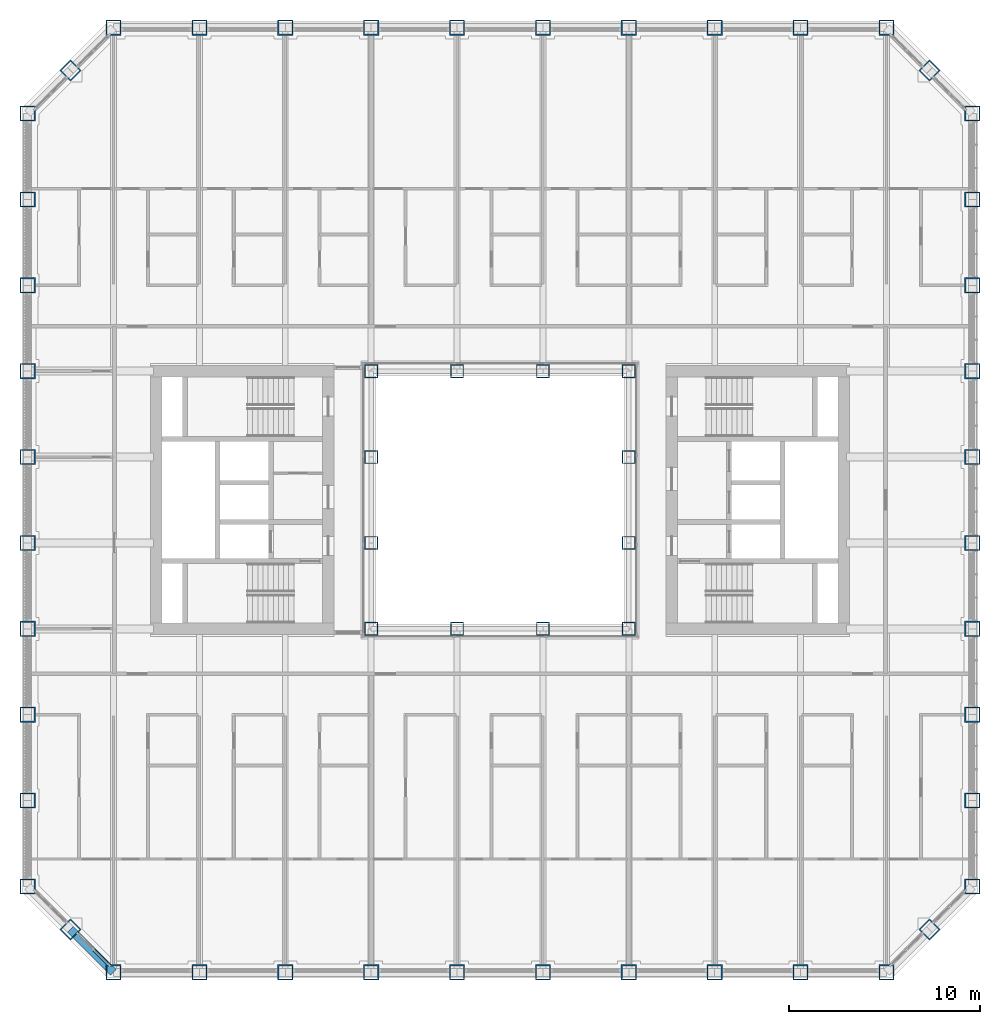
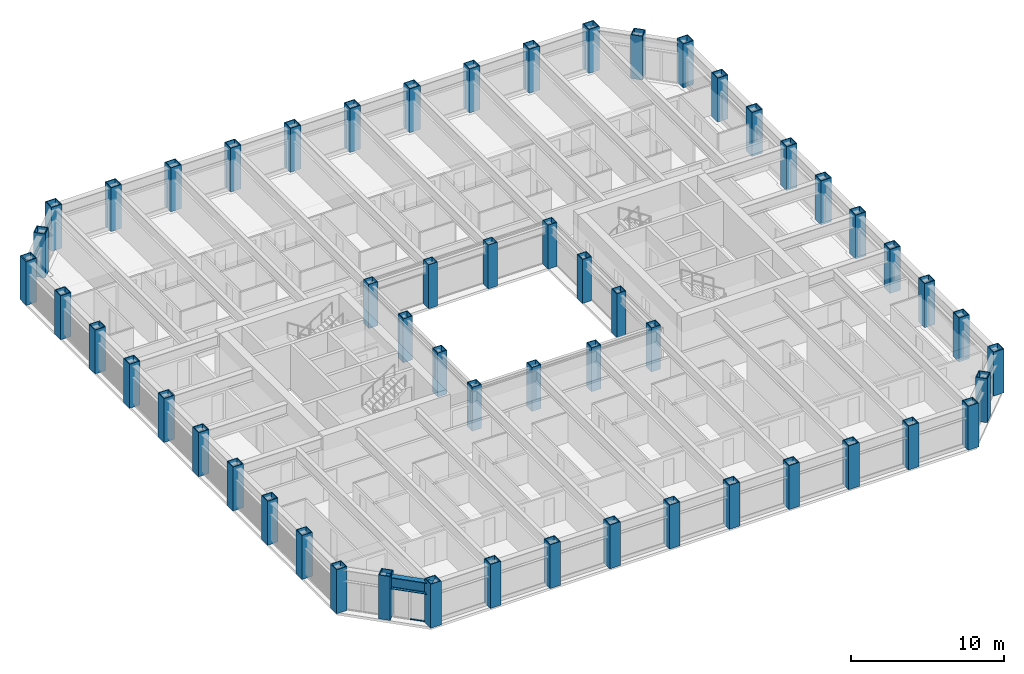
# One storey, part 1 of 21: 56 columns, 2 members, 1 beam, 1 element without a shape of its own.
"""IFC4 building model written with IfcOpenShell, lengths in metres."""

from ifc_helpers import new_model, si_unit, direction, frame, origin, origin_2d, place, context, subcontext, project, spatial, rectangle, hollow_rectangle, i_section, extrude, material, material_profile, profile_set, type_object, element, aggregate, save


model = new_model("IFC4")

# Units and contexts
model_context = context("Model", 3, precision=1e-05, world=origin(), true_north=direction((0.0, 1.0)))
body_context = subcontext(model_context, "Body", "Model", "MODEL_VIEW")
ifc_project = project(units=[si_unit("LENGTHUNIT", "METRE"), si_unit("AREAUNIT", "SQUARE_METRE"), si_unit("VOLUMEUNIT", "CUBIC_METRE"), si_unit("PLANEANGLEUNIT", "RADIAN"), si_unit("MASSUNIT", "GRAM", prefix="KILO")], contexts=[model_context])

# Site, building, storey
site_placement = place(None, origin())
site = spatial("IfcSite", under=ifc_project, at=site_placement, CompositionType="ELEMENT")
building_placement = place(site_placement, origin())
building = spatial("IfcBuilding", under=site, at=building_placement, Name="Msasa Ring Tower", CompositionType="ELEMENT")
storey_placement = place(building_placement, frame((0.0, 0.0, 89.5)))
storey = spatial("IfcBuildingStorey", under=building, at=storey_placement, Name="L23", CompositionType="ELEMENT", Elevation=89.5)

# Columns
ifc_material_1 = material(Name="Steel S355", Category="steel")
ifc_material_profile_1 = material_profile(ifc_material_1, hollow_rectangle(XDim=0.699951171875, YDim=0.699951171875, WallThickness=0.050048828125, at=origin_2d()), Name="BOX 700x700x50")
ifc_profile_set_1 = profile_set([ifc_material_profile_1], Name="Steel S355")
column_type_1 = type_object("IfcColumnType", Name="IC3 BOX 700x700x50", PredefinedType="COLUMN", material=ifc_profile_set_1)
for number, where, z_axis, x_axis, name in (
    (1, (-6.75, -6.75, 0.0), (0.0, 0.0, 1.0), (1.0, 0.0, 0.0), "Inner ring column IR-6.75-6.75 L23"),
    (2, (-6.75, -2.25, 0.0), (0.0, 0.0, 1.0), (1.0, 0.0, 0.0), "Inner ring column IR-6.75-2.25 L23"),
    (3, (-6.75, 2.25, 0.0), (0.0, 0.0, 1.0), (1.0, 0.0, 0.0), "Inner ring column IR-6.75+2.25 L23"),
    (4, (-6.75, 6.75, 0.0), (0.0, 0.0, 1.0), (1.0, 0.0, 0.0), "Inner ring column IR-6.75+6.75 L23"),
    (5, (-2.25, -6.75, 0.0), (0.0, 0.0, 1.0), (1.0, 0.0, 0.0), "Inner ring column IR-2.25-6.75 L23"),
    (6, (-2.25, 6.75, 0.0), (0.0, 0.0, 1.0), (1.0, 0.0, 0.0), "Inner ring column IR-2.25+6.75 L23"),
    (7, (2.25, -6.75, 0.0), (0.0, 0.0, 1.0), (1.0, 0.0, 0.0), "Inner ring column IR+2.25-6.75 L23"),
    (8, (2.25, 6.75, 0.0), (0.0, 0.0, 1.0), (1.0, 0.0, 0.0), "Inner ring column IR+2.25+6.75 L23"),
    (9, (6.75, -6.75, 0.0), (0.0, 0.0, 1.0), (1.0, 0.0, 0.0), "Inner ring column IR+6.75-6.75 L23"),
    (10, (6.75, -2.25, 0.0), (0.0, 0.0, 1.0), (1.0, 0.0, 0.0), "Inner ring column IR+6.75-2.25 L23"),
    (11, (6.75, 2.25, 0.0), (0.0, 0.0, 1.0), (1.0, 0.0, 0.0), "Inner ring column IR+6.75+2.25 L23"),
    (12, (6.75, 6.75, 0.0), (0.0, 0.0, 1.0), (1.0, 0.0, 0.0), "Inner ring column IR+6.75+6.75 L23"),
):
    element("IfcColumn", number, at=place(storey_placement, frame(where, z_axis=z_axis, x_axis=x_axis)), inside=storey, type_object=column_type_1, Name=name, PredefinedType="COLUMN", context=body_context, shape_type="SweptSolid", body=[
        extrude(hollow_rectangle(XDim=0.699951171875, YDim=0.699951171875, WallThickness=0.050048828125, at=origin_2d()), origin(), (0.0, 0.0, 1.0), 3.5),
    ])
ifc_material_2 = material(Name="Steel S355", Category="steel")
ifc_material_profile_2 = material_profile(ifc_material_2, hollow_rectangle(XDim=0.800048828125, YDim=0.800048828125, WallThickness=0.06005859375, at=origin_2d()), Name="BOX 800x800x60")
ifc_profile_set_2 = profile_set([ifc_material_profile_2], Name="Steel S355")
column_type_2 = type_object("IfcColumnType", Name="TC3 BOX 800x800x60", PredefinedType="COLUMN", material=ifc_profile_set_2)
for number, where, z_axis, x_axis, name in (
    (13, (-20.25, -24.75, 0.0), (0.0, 0.0, 1.0), (0.0, 1.0, 0.0), "Tube column S-20.25 L23"),
    (14, (-20.25, 24.75, 0.0), (0.0, 0.0, 1.0), (0.0, 1.0, 0.0), "Tube column N-20.25 L23"),
    (15, (24.75, -20.25, 0.0), (0.0, 0.0, 1.0), (1.0, 0.0, 0.0), "Tube column E-20.25 L23"),
    (16, (-24.75, -20.25, 0.0), (0.0, 0.0, 1.0), (1.0, 0.0, 0.0), "Tube column W-20.25 L23"),
    (17, (-15.75, -24.75, 0.0), (0.0, 0.0, 1.0), (0.0, 1.0, 0.0), "Tube column S-15.75 L23"),
    (18, (-15.75, 24.75, 0.0), (0.0, 0.0, 1.0), (0.0, 1.0, 0.0), "Tube column N-15.75 L23"),
    (19, (24.75, -15.75, 0.0), (0.0, 0.0, 1.0), (1.0, 0.0, 0.0), "Tube column E-15.75 L23"),
    (20, (-24.75, -15.75, 0.0), (0.0, 0.0, 1.0), (1.0, 0.0, 0.0), "Tube column W-15.75 L23"),
    (21, (-11.25, -24.75, 0.0), (0.0, 0.0, 1.0), (0.0, 1.0, 0.0), "Tube column S-11.25 L23"),
    (22, (-11.25, 24.75, 0.0), (0.0, 0.0, 1.0), (0.0, 1.0, 0.0), "Tube column N-11.25 L23"),
    (23, (24.75, -11.25, 0.0), (0.0, 0.0, 1.0), (1.0, 0.0, 0.0), "Tube column E-11.25 L23"),
    (24, (-24.75, -11.25, 0.0), (0.0, 0.0, 1.0), (1.0, 0.0, 0.0), "Tube column W-11.25 L23"),
    (25, (-6.75, -24.75, 0.0), (0.0, 0.0, 1.0), (0.0, 1.0, 0.0), "Tube column S-6.75 L23"),
    (26, (-6.75, 24.75, 0.0), (0.0, 0.0, 1.0), (0.0, 1.0, 0.0), "Tube column N-6.75 L23"),
    (27, (24.75, -6.75, 0.0), (0.0, 0.0, 1.0), (1.0, 0.0, 0.0), "Tube column E-6.75 L23"),
    (28, (-24.75, -6.75, 0.0), (0.0, 0.0, 1.0), (1.0, 0.0, 0.0), "Tube column W-6.75 L23"),
    (29, (-2.25, -24.75, 0.0), (0.0, 0.0, 1.0), (0.0, 1.0, 0.0), "Tube column S-2.25 L23"),
    (30, (-2.25, 24.75, 0.0), (0.0, 0.0, 1.0), (0.0, 1.0, 0.0), "Tube column N-2.25 L23"),
    (31, (24.75, -2.25, 0.0), (0.0, 0.0, 1.0), (1.0, 0.0, 0.0), "Tube column E-2.25 L23"),
    (32, (-24.75, -2.25, 0.0), (0.0, 0.0, 1.0), (1.0, 0.0, 0.0), "Tube column W-2.25 L23"),
    (33, (2.25, -24.75, 0.0), (0.0, 0.0, 1.0), (0.0, 1.0, 0.0), "Tube column S+2.25 L23"),
    (34, (2.25, 24.75, 0.0), (0.0, 0.0, 1.0), (0.0, 1.0, 0.0), "Tube column N+2.25 L23"),
    (35, (24.75, 2.25, 0.0), (0.0, 0.0, 1.0), (1.0, 0.0, 0.0), "Tube column E+2.25 L23"),
    (36, (-24.75, 2.25, 0.0), (0.0, 0.0, 1.0), (1.0, 0.0, 0.0), "Tube column W+2.25 L23"),
    (37, (6.75, -24.75, 0.0), (0.0, 0.0, 1.0), (0.0, 1.0, 0.0), "Tube column S+6.75 L23"),
    (38, (6.75, 24.75, 0.0), (0.0, 0.0, 1.0), (0.0, 1.0, 0.0), "Tube column N+6.75 L23"),
    (39, (24.75, 6.75, 0.0), (0.0, 0.0, 1.0), (1.0, 0.0, 0.0), "Tube column E+6.75 L23"),
    (40, (-24.75, 6.75, 0.0), (0.0, 0.0, 1.0), (1.0, 0.0, 0.0), "Tube column W+6.75 L23"),
    (41, (11.25, -24.75, 0.0), (0.0, 0.0, 1.0), (0.0, 1.0, 0.0), "Tube column S+11.25 L23"),
    (42, (11.25, 24.75, 0.0), (0.0, 0.0, 1.0), (0.0, 1.0, 0.0), "Tube column N+11.25 L23"),
    (43, (24.75, 11.25, 0.0), (0.0, 0.0, 1.0), (1.0, 0.0, 0.0), "Tube column E+11.25 L23"),
    (44, (-24.75, 11.25, 0.0), (0.0, 0.0, 1.0), (1.0, 0.0, 0.0), "Tube column W+11.25 L23"),
    (45, (15.75, -24.75, 0.0), (0.0, 0.0, 1.0), (0.0, 1.0, 0.0), "Tube column S+15.75 L23"),
    (46, (15.75, 24.75, 0.0), (0.0, 0.0, 1.0), (0.0, 1.0, 0.0), "Tube column N+15.75 L23"),
    (47, (24.75, 15.75, 0.0), (0.0, 0.0, 1.0), (1.0, 0.0, 0.0), "Tube column E+15.75 L23"),
    (48, (-24.75, 15.75, 0.0), (0.0, 0.0, 1.0), (1.0, 0.0, 0.0), "Tube column W+15.75 L23"),
    (49, (20.25, -24.75, 0.0), (0.0, 0.0, 1.0), (0.0, 1.0, 0.0), "Tube column S+20.25 L23"),
    (50, (20.25, 24.75, 0.0), (0.0, 0.0, 1.0), (0.0, 1.0, 0.0), "Tube column N+20.25 L23"),
    (51, (24.75, 20.25, 0.0), (0.0, 0.0, 1.0), (1.0, 0.0, 0.0), "Tube column E+20.25 L23"),
    (52, (-24.75, 20.25, 0.0), (0.0, 0.0, 1.0), (1.0, 0.0, 0.0), "Tube column W+20.25 L23"),
    (53, (22.5, -22.5, 0.0), (0.0, 0.0, 1.0), (0.707106781187, -0.707106781187, 0.0), "Tube column SE L23"),
    (54, (22.5, 22.5, 0.0), (0.0, 0.0, 1.0), (0.707106781187, 0.707106781187, 0.0), "Tube column NE L23"),
    (55, (-22.5, 22.5, 0.0), (0.0, 0.0, 1.0), (0.707106781187, -0.707106781187, 0.0), "Tube column NW L23"),
    (56, (-22.5, -22.5, 0.0), (0.0, 0.0, 1.0), (0.707106781187, 0.707106781187, 0.0), "Tube column SW L23"),
):
    element("IfcColumn", number, at=place(storey_placement, frame(where, z_axis=z_axis, x_axis=x_axis)), inside=storey, type_object=column_type_2, Name=name, PredefinedType="COLUMN", context=body_context, shape_type="SweptSolid", body=[
        extrude(hollow_rectangle(XDim=0.800048828125, YDim=0.800048828125, WallThickness=0.06005859375, at=origin_2d()), origin(), (0.0, 0.0, 1.0), 3.5),
    ])

# Curtain wall, members
ifc_material_3 = material(Name="Aluminium curtain wall with clear glass", Category="aluminium")
curtain_wall_type = type_object("IfcCurtainWallType", Name="CW-C CHAMFER CORNER CURTAIN WALL", PredefinedType="NOTDEFINED", material=ifc_material_3)
curtain_wall_placement = place(storey_placement, origin())
curtain_wall = element("IfcCurtainWall", 57, at=curtain_wall_placement, inside=storey, type_object=curtain_wall_type, Name="Chamfer corner curtain wall SW L23", PredefinedType="NOTDEFINED")
ifc_material_4 = material(Name="Aluminium transom", Category="aluminium")
ifc_material_profile_3 = material_profile(ifc_material_4, rectangle(XDim=0.139892578125, YDim=0.06494140625, at=origin_2d()), Name="AL 65x140")
ifc_profile_set_3 = profile_set([ifc_material_profile_3], Name="Aluminium transom")
member_type = type_object("IfcMemberType", Name="CW-C TRANSOM 65x140", PredefinedType="USERDEFINED", material=ifc_profile_set_3)
member_1_placement = place(storey_placement, frame((-21.28125, -23.577392578125, 0.032470703125), z_axis=(0.707106781187, -0.707106781187, 0.0), x_axis=(0.707106781187, 0.707106781187, 0.0)))
member_1 = element("IfcMember", 58, at=member_1_placement, type_object=member_type, Name="CW-C transom 2.1", ObjectType="TRANSOM", PredefinedType="USERDEFINED", context=body_context, shape_type="SweptSolid", body=[
    extrude(rectangle(XDim=0.139892578125, YDim=0.06494140625, at=origin_2d()), origin(), (0.0, 0.0, 1.0), 1.08837890625),
])
member_2_placement = place(storey_placement, frame((-21.28125, -23.577392578125, 2.346435546875), z_axis=(0.707106781187, -0.707106781187, 0.0), x_axis=(0.707106781187, 0.707106781187, 0.0)))
member_2 = element("IfcMember", 59, at=member_2_placement, type_object=member_type, Name="CW-C transom 2.2", ObjectType="TRANSOM", PredefinedType="USERDEFINED", context=body_context, shape_type="SweptSolid", body=[
    extrude(rectangle(XDim=0.139892578125, YDim=0.06494140625, at=origin_2d()), origin(), (0.0, 0.0, 1.0), 1.08837890625),
])
aggregate(curtain_wall, [member_1, member_2])

# Beam
ifc_material_5 = material(Name="Steel S355", Category="steel")
ifc_material_profile_4 = material_profile(ifc_material_5, i_section(OverallWidth=0.42041015625, OverallDepth=0.9208984375, WebThickness=0.021484375, FlangeThickness=0.03662109375, FilletRadius=0.024169921875, at=origin_2d()), Name="UB 914x419x388")
ifc_profile_set_4 = profile_set([ifc_material_profile_4], Name="Steel S355")
beam_type = type_object("IfcBeamType", Name="SB1 UB 914x419x388", PredefinedType="SPANDREL", material=ifc_profile_set_4)
beam_placement = place(storey_placement, frame((-22.5, -22.5, 2.839599609375), z_axis=(0.707106781187, -0.707106781187, 0.0), x_axis=(0.707106781187, 0.707106781187, 0.0)))
element("IfcBeam", 60, at=beam_placement, inside=storey, type_object=beam_type, Name="Spandrel SW to S-20.25 under L24", PredefinedType="SPANDREL", context=body_context, shape_type="SweptSolid", body=[
    extrude(i_section(OverallWidth=0.42041015625, OverallDepth=0.9208984375, WebThickness=0.021484375, FlangeThickness=0.03662109375, FilletRadius=0.024169921875, at=origin_2d()), origin(), (0.0, 0.0, 1.0), 3.181884765625),
])

save(model, "model.ifc")
